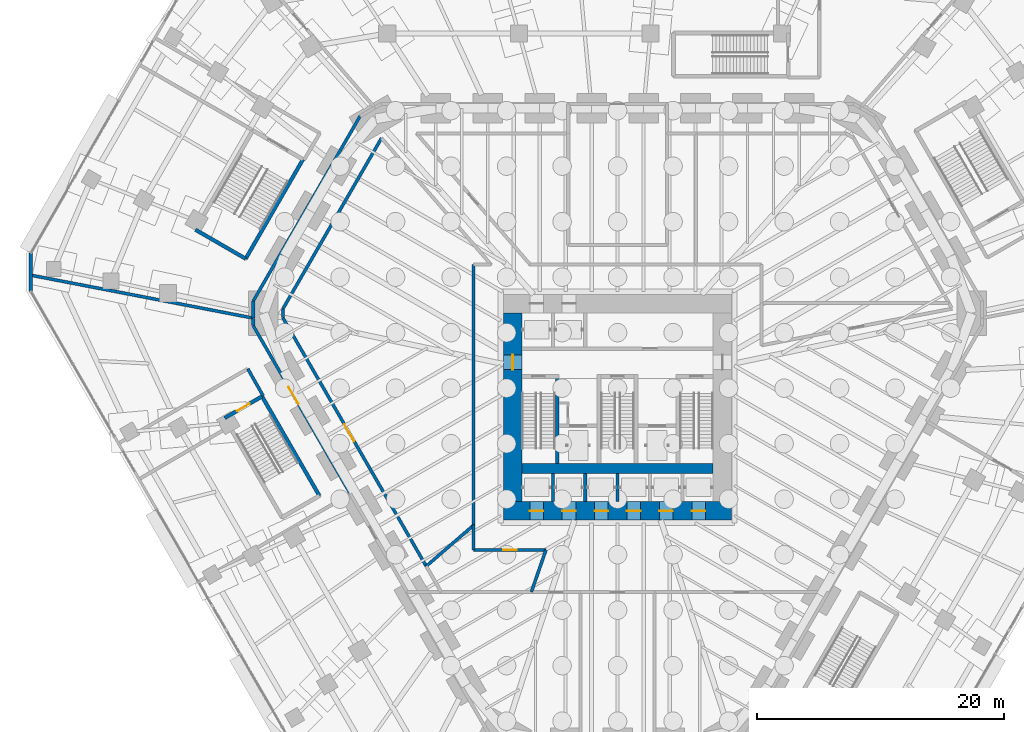
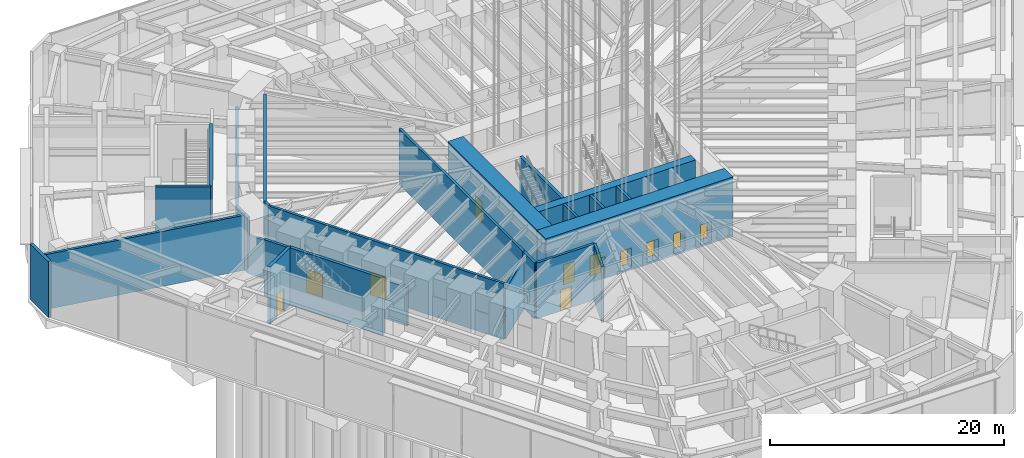
# One storey, part 19 of 34: 26 walls, 11 doors, 11 openings.
"""IFC4 building model written with IfcOpenShell, lengths in metres."""

from ifc_helpers import new_model, si_unit, direction, frame, frame_2d, origin, place, context, subcontext, project, spatial, rectangle, extrude, material, layer, layer_set, type_object, element, fill, save


model = new_model("IFC4")

# Units and contexts
model_context = context("Model", 3, precision=1e-05, world=origin(), true_north=direction((0.0, 1.0)))
body_context = subcontext(model_context, "Body", "Model", "MODEL_VIEW")
ifc_project = project(units=[si_unit("LENGTHUNIT", "METRE"), si_unit("AREAUNIT", "SQUARE_METRE"), si_unit("VOLUMEUNIT", "CUBIC_METRE"), si_unit("PLANEANGLEUNIT", "RADIAN"), si_unit("MASSUNIT", "GRAM", prefix="KILO")], contexts=[model_context])

# Site, building, storey
site_placement = place(None, origin())
site = spatial("IfcSite", under=ifc_project, at=site_placement, CompositionType="ELEMENT")
building_placement = place(site_placement, origin())
building = spatial("IfcBuilding", under=site, at=building_placement, Name="Sandreach Pilgrim Tower", CompositionType="ELEMENT")
storey_placement = place(building_placement, origin())
storey = spatial("IfcBuildingStorey", under=building, at=storey_placement, Name="L00", CompositionType="ELEMENT", Elevation=0.0)

# Walls
ifc_material_1 = material(Name="Concrete 10000 psi", Category="concrete")
ifc_layer_1 = layer(ifc_material_1, 0.300048828125)
ifc_layer_set_1 = layer_set([ifc_layer_1], Name="Core inner wall 300")
wall_type_1 = type_object("IfcWallType", Name="Core inner wall 300", PredefinedType="SHEAR", material=ifc_layer_set_1)
wall_1_placement = place(storey_placement, frame((-4.89990234375, -6.10009765625, -0.199951171875), z_axis=(0.0, 0.0, 1.0), x_axis=(0.0, 1.0, 0.0)))
element("IfcWall", 1, at=wall_1_placement, inside=storey, type_object=wall_type_1, Name="Core wall I0 L00", PredefinedType="SHEAR", context=body_context, shape_type="SweptSolid", body=[
    extrude(rectangle(XDim=7.2001953125, YDim=0.300048828125, at=frame_2d((3.60009765625, 0.0))), origin(), (0.0, 0.0, 1.0), 6.199951171875),
])
ifc_material_2 = material(Name="Concrete 10000 psi", Category="concrete")
ifc_layer_2 = layer(ifc_material_2, 0.800048828125)
ifc_layer_set_2 = layer_set([ifc_layer_2], Name="Core mid wall 800")
wall_type_2 = type_object("IfcWallType", Name="Core mid wall 800", PredefinedType="SHEAR", material=ifc_layer_set_2)
wall_2_placement = place(storey_placement, frame((-7.75, -6.5, -0.199951171875), z_axis=(0.0, 0.0, 1.0), x_axis=(1.0, 0.0, 0.0)))
element("IfcWall", 2, at=wall_2_placement, inside=storey, type_object=wall_type_2, Name="Core wall M L00", PredefinedType="SHEAR", context=body_context, shape_type="SweptSolid", body=[
    extrude(rectangle(XDim=15.5, YDim=0.800048828125, at=frame_2d((7.75, 0.0))), origin(), (0.0, 0.0, 1.0), 6.199951171875),
])

# Wall, openings, doors
ifc_material_3 = material(Name="Concrete 10000 psi", Category="concrete")
ifc_layer_3 = layer(ifc_material_3, 1.5)
ifc_layer_set_3 = layer_set([ifc_layer_3], Name="Core wall 1500")
wall_type_3 = type_object("IfcWallType", Name="Core wall 1500", PredefinedType="SHEAR", material=ifc_layer_set_3)
wall_3_placement = place(storey_placement, frame((-9.25, -9.949951171875, -0.199951171875), z_axis=(0.0, 0.0, 1.0), x_axis=(1.0, 0.0, 0.0)))
wall_3 = element("IfcWall", 3, at=wall_3_placement, inside=storey, type_object=wall_type_3, Name="Core wall S L00", PredefinedType="SHEAR", context=body_context, shape_type="SweptSolid", body=[
    extrude(rectangle(XDim=18.5, YDim=1.5, at=frame_2d((9.25, 0.0))), origin(), (0.0, 0.0, 1.0), 6.199951171875),
])
opening_1_placement = place(wall_3_placement, frame((2.137451171875, 0.0, 0.199951171875)))
opening_1 = element("IfcOpeningElement", 4, at=opening_1_placement, cuts=wall_3, Name="Opening LD11", PredefinedType="OPENING", context=body_context, shape_type="SweptSolid", body=[
    extrude(rectangle(XDim=1.10009765625, YDim=2.10009765625, at=frame_2d((0.550048828125, 1.050048828125))), frame((0.0, 0.75, 0.0), z_axis=(0.0, -1.0, 0.0), x_axis=(1.0, 0.0, 0.0)), (0.0, 0.0, 1.0), 1.5),
])
opening_2_placement = place(wall_3_placement, frame((4.762451171875, 0.0, 0.199951171875)))
opening_2 = element("IfcOpeningElement", 5, at=opening_2_placement, cuts=wall_3, Name="Opening LD11", PredefinedType="OPENING", context=body_context, shape_type="SweptSolid", body=[
    extrude(rectangle(XDim=1.10009765625, YDim=2.10009765625, at=frame_2d((0.550048828125, 1.050048828125))), frame((0.0, 0.75, 0.0), z_axis=(0.0, -1.0, 0.0), x_axis=(1.0, 0.0, 0.0)), (0.0, 0.0, 1.0), 1.5),
])
opening_3_placement = place(wall_3_placement, frame((7.387451171875, 0.0, 0.199951171875)))
opening_3 = element("IfcOpeningElement", 6, at=opening_3_placement, cuts=wall_3, Name="Opening LD11", PredefinedType="OPENING", context=body_context, shape_type="SweptSolid", body=[
    extrude(rectangle(XDim=1.10009765625, YDim=2.10009765625, at=frame_2d((0.550048828125, 1.050048828125))), frame((0.0, 0.75, 0.0), z_axis=(0.0, -1.0, 0.0), x_axis=(1.0, 0.0, 0.0)), (0.0, 0.0, 1.0), 1.5),
])
opening_4_placement = place(wall_3_placement, frame((10.012451171875, 0.0, 0.199951171875)))
opening_4 = element("IfcOpeningElement", 7, at=opening_4_placement, cuts=wall_3, Name="Opening LD11", PredefinedType="OPENING", context=body_context, shape_type="SweptSolid", body=[
    extrude(rectangle(XDim=1.10009765625, YDim=2.10009765625, at=frame_2d((0.550048828125, 1.050048828125))), frame((0.0, 0.75, 0.0), z_axis=(0.0, -1.0, 0.0), x_axis=(1.0, 0.0, 0.0)), (0.0, 0.0, 1.0), 1.5),
])
opening_5_placement = place(wall_3_placement, frame((12.637451171875, 0.0, 0.199951171875)))
opening_5 = element("IfcOpeningElement", 8, at=opening_5_placement, cuts=wall_3, Name="Opening LD11", PredefinedType="OPENING", context=body_context, shape_type="SweptSolid", body=[
    extrude(rectangle(XDim=1.10009765625, YDim=2.10009765625, at=frame_2d((0.550048828125, 1.050048828125))), frame((0.0, 0.75, 0.0), z_axis=(0.0, -1.0, 0.0), x_axis=(1.0, 0.0, 0.0)), (0.0, 0.0, 1.0), 1.5),
])
opening_6_placement = place(wall_3_placement, frame((15.262451171875, 0.0, 0.199951171875)))
opening_6 = element("IfcOpeningElement", 9, at=opening_6_placement, cuts=wall_3, Name="Opening LD11", PredefinedType="OPENING", context=body_context, shape_type="SweptSolid", body=[
    extrude(rectangle(XDim=1.10009765625, YDim=2.10009765625, at=frame_2d((0.550048828125, 1.050048828125))), frame((0.0, 0.75, 0.0), z_axis=(0.0, -1.0, 0.0), x_axis=(1.0, 0.0, 0.0)), (0.0, 0.0, 1.0), 1.5),
])
ifc_material_4 = material(Name="Steel door and frame", Category="steel")
door_type_1 = type_object("IfcDoorType", Name="Lift landing door", OperationType="DOUBLE_DOOR_SLIDING", PredefinedType="DOOR", material=ifc_material_4)
door_1_placement = place(opening_1_placement, origin())
door_1 = element("IfcDoor", 10, at=door_1_placement, inside=storey, type_object=door_type_1, Name="Lift landing door Z1A L00", OperationType="DOUBLE_DOOR_SLIDING", OverallHeight=2.10009765625, OverallWidth=1.10009765625, PredefinedType="DOOR", context=body_context, shape_type="SweptSolid", body=[
    extrude(rectangle(XDim=1.10009765625, YDim=2.10009765625, at=frame_2d((0.550048828125, 1.050048828125))), frame((0.0, 0.02490234375, 0.0), z_axis=(0.0, -1.0, 0.0), x_axis=(1.0, 0.0, 0.0)), (0.0, 0.0, 1.0), 0.050048828125),
])
fill(opening_1, door_1)
door_2_placement = place(opening_2_placement, origin())
door_2 = element("IfcDoor", 11, at=door_2_placement, inside=storey, type_object=door_type_1, Name="Lift landing door Z1B L00", OperationType="DOUBLE_DOOR_SLIDING", OverallHeight=2.10009765625, OverallWidth=1.10009765625, PredefinedType="DOOR", context=body_context, shape_type="SweptSolid", body=[
    extrude(rectangle(XDim=1.10009765625, YDim=2.10009765625, at=frame_2d((0.550048828125, 1.050048828125))), frame((0.0, 0.02490234375, 0.0), z_axis=(0.0, -1.0, 0.0), x_axis=(1.0, 0.0, 0.0)), (0.0, 0.0, 1.0), 0.050048828125),
])
fill(opening_2, door_2)
door_3_placement = place(opening_3_placement, origin())
door_3 = element("IfcDoor", 12, at=door_3_placement, inside=storey, type_object=door_type_1, Name="Lift landing door Z1C L00", OperationType="DOUBLE_DOOR_SLIDING", OverallHeight=2.10009765625, OverallWidth=1.10009765625, PredefinedType="DOOR", context=body_context, shape_type="SweptSolid", body=[
    extrude(rectangle(XDim=1.10009765625, YDim=2.10009765625, at=frame_2d((0.550048828125, 1.050048828125))), frame((0.0, 0.02490234375, 0.0), z_axis=(0.0, -1.0, 0.0), x_axis=(1.0, 0.0, 0.0)), (0.0, 0.0, 1.0), 0.050048828125),
])
fill(opening_3, door_3)
door_4_placement = place(opening_4_placement, origin())
door_4 = element("IfcDoor", 13, at=door_4_placement, inside=storey, type_object=door_type_1, Name="Lift landing door Z2A L00", OperationType="DOUBLE_DOOR_SLIDING", OverallHeight=2.10009765625, OverallWidth=1.10009765625, PredefinedType="DOOR", context=body_context, shape_type="SweptSolid", body=[
    extrude(rectangle(XDim=1.10009765625, YDim=2.10009765625, at=frame_2d((0.550048828125, 1.050048828125))), frame((0.0, 0.02490234375, 0.0), z_axis=(0.0, -1.0, 0.0), x_axis=(1.0, 0.0, 0.0)), (0.0, 0.0, 1.0), 0.050048828125),
])
fill(opening_4, door_4)
door_5_placement = place(opening_5_placement, origin())
door_5 = element("IfcDoor", 14, at=door_5_placement, inside=storey, type_object=door_type_1, Name="Lift landing door Z2B L00", OperationType="DOUBLE_DOOR_SLIDING", OverallHeight=2.10009765625, OverallWidth=1.10009765625, PredefinedType="DOOR", context=body_context, shape_type="SweptSolid", body=[
    extrude(rectangle(XDim=1.10009765625, YDim=2.10009765625, at=frame_2d((0.550048828125, 1.050048828125))), frame((0.0, 0.02490234375, 0.0), z_axis=(0.0, -1.0, 0.0), x_axis=(1.0, 0.0, 0.0)), (0.0, 0.0, 1.0), 0.050048828125),
])
fill(opening_5, door_5)
door_6_placement = place(opening_6_placement, origin())
door_6 = element("IfcDoor", 15, at=door_6_placement, inside=storey, type_object=door_type_1, Name="Lift landing door Z2C L00", OperationType="DOUBLE_DOOR_SLIDING", OverallHeight=2.10009765625, OverallWidth=1.10009765625, PredefinedType="DOOR", context=body_context, shape_type="SweptSolid", body=[
    extrude(rectangle(XDim=1.10009765625, YDim=2.10009765625, at=frame_2d((0.550048828125, 1.050048828125))), frame((0.0, 0.02490234375, 0.0), z_axis=(0.0, -1.0, 0.0), x_axis=(1.0, 0.0, 0.0)), (0.0, 0.0, 1.0), 0.050048828125),
])
fill(opening_6, door_6)

# Wall, opening, door
wall_4_placement = place(storey_placement, frame((-8.5, -9.199951171875, -0.199951171875), z_axis=(0.0, 0.0, 1.0), x_axis=(0.0, 1.0, 0.0)))
wall_4 = element("IfcWall", 16, at=wall_4_placement, inside=storey, type_object=wall_type_3, Name="Core wall W L00", PredefinedType="SHEAR", context=body_context, shape_type="SweptSolid", body=[
    extrude(rectangle(XDim=15.300048828125, YDim=1.5, at=frame_2d((7.64990234375, 0.0))), origin(), (0.0, 0.0, 1.0), 6.199951171875),
])
opening_7_placement = place(wall_4_placement, frame((10.699951171875, 0.0, 0.199951171875)))
opening_7 = element("IfcOpeningElement", 17, at=opening_7_placement, cuts=wall_4, Name="Opening D12F-W", PredefinedType="OPENING", context=body_context, shape_type="SweptSolid", body=[
    extrude(rectangle(XDim=1.199951171875, YDim=2.199951171875, at=frame_2d((0.60009765625, 1.10009765625))), frame((0.0, 0.75, 0.0), z_axis=(0.0, -1.0, 0.0), x_axis=(1.0, 0.0, 0.0)), (0.0, 0.0, 1.0), 1.5),
])
ifc_material_5 = material(Name="Steel door and frame", Category="steel")
door_type_2 = type_object("IfcDoorType", Name="Fire lobby door", OperationType="SINGLE_SWING_LEFT", PredefinedType="DOOR", material=ifc_material_5)
door_7_placement = place(opening_7_placement, origin())
door_7 = element("IfcDoor", 18, at=door_7_placement, inside=storey, type_object=door_type_2, Name="Fire service lobby door W L00", OperationType="SINGLE_SWING_RIGHT", OverallHeight=2.199951171875, OverallWidth=1.199951171875, PredefinedType="DOOR", context=body_context, shape_type="SweptSolid", body=[
    extrude(rectangle(XDim=1.199951171875, YDim=2.199951171875, at=frame_2d((0.60009765625, 1.10009765625))), frame((0.0, 0.02490234375, 0.0), z_axis=(0.0, -1.0, 0.0), x_axis=(1.0, 0.0, 0.0)), (0.0, 0.0, 1.0), 0.050048828125),
])
fill(opening_7, door_7)

ifc_material_6 = material(Name="Acoustic gypsum board wall, double frame", Category="gypsum")
ifc_layer_4 = layer(ifc_material_6, 0.25)
ifc_layer_set_4 = layer_set([ifc_layer_4], Name="Hall partition 250")
wall_type_4 = type_object("IfcWallType", Name="Hall partition 250", PredefinedType="PARTITIONING", material=ifc_layer_set_4)
wall_5_placement = place(storey_placement, frame((-29.5400390625, 5.06005859375, 0.0), z_axis=(0.0, 0.0, 1.0), x_axis=(0.500237574973, -0.865888196354, 0.0)))
wall_5 = element("IfcWall", 19, at=wall_5_placement, inside=storey, type_object=wall_type_4, Name="Hall partition L00-005", PredefinedType="PARTITIONING", context=body_context, shape_type="SweptSolid", body=[
    extrude(rectangle(XDim=15.752685546875, YDim=0.25, at=frame_2d((7.87646484375, 0.0))), origin(), (0.0, 0.0, 1.0), 4.0400390625),
])
opening_8_placement = place(wall_5_placement, frame((5.726318359375, 0.0, 0.0)))
opening_8 = element("IfcOpeningElement", 20, at=opening_8_placement, cuts=wall_5, Name="Opening D16-N2", PredefinedType="OPENING", context=body_context, shape_type="SweptSolid", body=[
    extrude(rectangle(XDim=1.60009765625, YDim=2.39990234375, at=frame_2d((0.800048828125, 1.199951171875))), frame((0.0, 0.125, 0.0), z_axis=(0.0, -1.0, 0.0), x_axis=(1.0, 0.0, 0.0)), (0.0, 0.0, 1.0), 0.25),
])
ifc_material_7 = material(Name="Steel door and frame", Category="steel")
door_type_3 = type_object("IfcDoorType", Name="Hall double door", OperationType="DOUBLE_DOOR_SINGLE_SWING", PredefinedType="DOOR", material=ifc_material_7)
door_8_placement = place(opening_8_placement, origin())
door_8 = element("IfcDoor", 21, at=door_8_placement, inside=storey, type_object=door_type_3, Name="Door 00N2", OperationType="DOUBLE_DOOR_SINGLE_SWING", OverallHeight=2.39990234375, OverallWidth=1.60009765625, PredefinedType="DOOR", context=body_context, shape_type="SweptSolid", body=[
    extrude(rectangle(XDim=1.60009765625, YDim=2.39990234375, at=frame_2d((0.800048828125, 1.199951171875))), frame((0.0, 0.02490234375, 0.0), z_axis=(0.0, -1.0, 0.0), x_axis=(1.0, 0.0, 0.0)), (0.0, 0.0, 1.0), 0.050048828125),
])
fill(opening_8, door_8)

# Walls
wall_6_placement = place(storey_placement, frame((-29.5400390625, 5.64501953125, 0.0), z_axis=(0.0, 0.0, 1.0), x_axis=(0.0, -1.0, 0.0)))
element("IfcWall", 22, at=wall_6_placement, inside=storey, type_object=wall_type_4, Name="Hall partition L00-006", PredefinedType="PARTITIONING", context=body_context, shape_type="SweptSolid", body=[
    extrude(rectangle(XDim=0.5849609375, YDim=0.25, at=frame_2d((0.29248046875, 0.0))), origin(), (0.0, 0.0, 1.0), 5.840087890625),
])
wall_7_placement = place(storey_placement, frame((-29.5400390625, 5.679931640625, 0.0), z_axis=(0.0, 0.0, 1.0), x_axis=(-0.981893421599, 0.189434180181, 0.0)))
element("IfcWall", 23, at=wall_7_placement, inside=storey, type_object=wall_type_4, Name="Hall partition L00-007", PredefinedType="PARTITIONING", context=body_context, shape_type="SweptSolid", body=[
    extrude(rectangle(XDim=18.3935546875, YDim=0.25, at=frame_2d((9.19677734375, 0.0))), origin(), (0.0, 0.0, 1.0), 5.75),
])
wall_8_placement = place(storey_placement, frame((-29.5400390625, 7.06005859375, 0.0), z_axis=(0.0, 0.0, 1.0), x_axis=(0.0, -1.0, 0.0)))
element("IfcWall", 24, at=wall_8_placement, inside=storey, type_object=wall_type_4, Name="Hall partition L00-008", PredefinedType="PARTITIONING", context=body_context, shape_type="SweptSolid", body=[
    extrude(rectangle(XDim=1.380126953125, YDim=0.25, at=frame_2d((0.68994140625, 0.0))), origin(), (0.0, 0.0, 1.0), 5.840087890625),
])
wall_9_placement = place(storey_placement, frame((-28.739990234375, -0.619873046875, 0.0), z_axis=(0.0, 0.0, 1.0), x_axis=(-0.492718818431, 0.87018858069, 0.0)))
element("IfcWall", 25, at=wall_9_placement, inside=storey, type_object=wall_type_4, Name="Hall partition L00-009", PredefinedType="PARTITIONING", context=body_context, shape_type="SweptSolid", body=[
    extrude(rectangle(XDim=2.5166015625, YDim=0.25, at=frame_2d((1.25830078125, 0.0))), origin(), (0.0, 0.0, 1.0), 5.840087890625),
])
wall_10_placement = place(storey_placement, frame((-27.139892578125, 5.7099609375, 0.0), z_axis=(0.0, 0.0, 1.0), x_axis=(0.0, 1.0, 0.0)))
element("IfcWall", 26, at=wall_10_placement, inside=storey, type_object=wall_type_4, Name="Hall partition L00-010", PredefinedType="PARTITIONING", context=body_context, shape_type="SweptSolid", body=[
    extrude(rectangle(XDim=0.7099609375, YDim=0.25, at=frame_2d((0.35498046875, 0.0))), origin(), (0.0, 0.0, 1.0), 5.840087890625),
])

# Wall, opening, door
wall_11_placement = place(storey_placement, frame((-27.14013671875, 5.7099609375, 0.0), z_axis=(0.0, 0.0, 1.0), x_axis=(0.499871788402, -0.866099414132, 0.0)))
wall_11 = element("IfcWall", 27, at=wall_11_placement, inside=storey, type_object=wall_type_4, Name="Hall partition L00-011", PredefinedType="PARTITIONING", context=body_context, shape_type="SweptSolid", body=[
    extrude(rectangle(XDim=23.2568359375, YDim=0.25, at=frame_2d((11.62841796875, 0.0))), origin(), (0.0, 0.0, 1.0), 5.840087890625),
])
opening_9_placement = place(wall_11_placement, frame((9.978515625, 0.0, 0.0)))
opening_9 = element("IfcOpeningElement", 28, at=opening_9_placement, cuts=wall_11, Name="Opening D16-B2", PredefinedType="OPENING", context=body_context, shape_type="SweptSolid", body=[
    extrude(rectangle(XDim=1.60009765625, YDim=2.39990234375, at=frame_2d((0.800048828125, 1.199951171875))), frame((0.0, 0.125, 0.0), z_axis=(0.0, -1.0, 0.0), x_axis=(1.0, 0.0, 0.0)), (0.0, 0.0, 1.0), 0.25),
])
door_9_placement = place(opening_9_placement, origin())
door_9 = element("IfcDoor", 29, at=door_9_placement, inside=storey, type_object=door_type_3, Name="Door 00B2", OperationType="DOUBLE_DOOR_SINGLE_SWING", OverallHeight=2.39990234375, OverallWidth=1.60009765625, PredefinedType="DOOR", context=body_context, shape_type="SweptSolid", body=[
    extrude(rectangle(XDim=1.60009765625, YDim=2.39990234375, at=frame_2d((0.800048828125, 1.199951171875))), frame((0.0, 0.02490234375, 0.0), z_axis=(0.0, -1.0, 0.0), x_axis=(1.0, 0.0, 0.0)), (0.0, 0.0, 1.0), 0.050048828125),
])
fill(opening_9, door_9)

# Walls
wall_12_placement = place(storey_placement, frame((-27.139892578125, 6.419921875, 0.0), z_axis=(0.0, 0.0, 1.0), x_axis=(0.50017078562, 0.865926778205, 0.0)))
element("IfcWall", 30, at=wall_12_placement, inside=storey, type_object=wall_type_4, Name="Hall partition L00-012", PredefinedType="PARTITIONING", context=body_context, shape_type="SweptSolid", body=[
    extrude(rectangle(XDim=15.99462890625, YDim=0.25, at=frame_2d((7.997314453125, 0.0))), origin(), (0.0, 0.0, 1.0), 5.840087890625),
])
wall_13_placement = place(storey_placement, frame((-20.8798828125, 22.050048828125, 0.0), z_axis=(0.0, 0.0, 1.0), x_axis=(-0.500246113481, -0.865883263464, 0.0)))
element("IfcWall", 31, at=wall_13_placement, inside=storey, type_object=wall_type_4, Name="Hall partition L00-016", PredefinedType="PARTITIONING", context=body_context, shape_type="SweptSolid", body=[
    extrude(rectangle(XDim=17.311767578125, YDim=0.25, at=frame_2d((8.65576171875, 0.0))), origin(), (0.0, 0.0, 1.0), 4.0400390625),
])

# Wall, opening, door
wall_14_placement = place(storey_placement, frame((-11.669921875, -13.1201171875, 0.0), z_axis=(0.0, 0.0, 1.0), x_axis=(1.0, 0.0, 0.0)))
wall_14 = element("IfcWall", 32, at=wall_14_placement, inside=storey, type_object=wall_type_4, Name="Hall partition L00-026", PredefinedType="PARTITIONING", context=body_context, shape_type="SweptSolid", body=[
    extrude(rectangle(XDim=5.85986328125, YDim=0.25, at=frame_2d((2.929931640625, 0.0))), origin(), (0.0, 0.0, 1.0), 5.840087890625),
])
opening_10_placement = place(wall_14_placement, frame((2.3798828125, 0.0, 0.0)))
opening_10 = element("IfcOpeningElement", 33, at=opening_10_placement, cuts=wall_14, Name="Opening D11H-N6", PredefinedType="OPENING", context=body_context, shape_type="SweptSolid", body=[
    extrude(rectangle(XDim=1.10009765625, YDim=2.199951171875, at=frame_2d((0.550048828125, 1.10009765625))), frame((0.0, 0.125, 0.0), z_axis=(0.0, -1.0, 0.0), x_axis=(1.0, 0.0, 0.0)), (0.0, 0.0, 1.0), 0.25),
])
ifc_material_8 = material(Name="Steel door and frame", Category="steel")
door_type_4 = type_object("IfcDoorType", Name="Back of house door", OperationType="SINGLE_SWING_LEFT", PredefinedType="DOOR", material=ifc_material_8)
door_10_placement = place(opening_10_placement, origin())
door_10 = element("IfcDoor", 34, at=door_10_placement, inside=storey, type_object=door_type_4, Name="Door 00N6", OperationType="SINGLE_SWING_LEFT", OverallHeight=2.199951171875, OverallWidth=1.10009765625, PredefinedType="DOOR", context=body_context, shape_type="SweptSolid", body=[
    extrude(rectangle(XDim=1.10009765625, YDim=2.199951171875, at=frame_2d((0.550048828125, 1.10009765625))), frame((0.0, 0.02490234375, 0.0), z_axis=(0.0, -1.0, 0.0), x_axis=(1.0, 0.0, 0.0)), (0.0, 0.0, 1.0), 0.050048828125),
])
fill(opening_10, door_10)

# Walls
wall_15_placement = place(storey_placement, frame((-11.669921875, -11.110107421875, 0.0), z_axis=(0.0, 0.0, 1.0), x_axis=(-0.756493073491, -0.654001704707, 0.0)))
element("IfcWall", 35, at=wall_15_placement, inside=storey, type_object=wall_type_4, Name="Hall partition L00-027", PredefinedType="PARTITIONING", context=body_context, shape_type="SweptSolid", body=[
    extrude(rectangle(XDim=5.076171875, YDim=0.25, at=frame_2d((2.5380859375, 0.0))), origin(), (0.0, 0.0, 1.0), 5.238037109375),
])
wall_16_placement = place(storey_placement, frame((-11.669921875, -11.110107421875, 0.0), z_axis=(0.0, 0.0, 1.0), x_axis=(0.0, -1.0, 0.0)))
element("IfcWall", 36, at=wall_16_placement, inside=storey, type_object=wall_type_4, Name="Hall partition L00-028", PredefinedType="PARTITIONING", context=body_context, shape_type="SweptSolid", body=[
    extrude(rectangle(XDim=2.010009765625, YDim=0.25, at=frame_2d((1.0048828125, 0.0))), origin(), (0.0, 0.0, 1.0), 5.840087890625),
])
wall_17_placement = place(storey_placement, frame((-11.669921875, 10.02001953125, 0.0), z_axis=(0.0, 0.0, 1.0), x_axis=(0.0, -1.0, 0.0)))
element("IfcWall", 37, at=wall_17_placement, inside=storey, type_object=wall_type_4, Name="Hall partition L00-029", PredefinedType="PARTITIONING", context=body_context, shape_type="SweptSolid", body=[
    extrude(rectangle(XDim=21.130126953125, YDim=0.25, at=frame_2d((10.56494140625, 0.0))), origin(), (0.0, 0.0, 1.0), 5.840087890625),
])
wall_18_placement = place(storey_placement, frame((-5.81005859375, -13.1201171875, 0.0), z_axis=(0.0, 0.0, 1.0), x_axis=(-0.327865380048, -0.944724453249, 0.0)))
element("IfcWall", 38, at=wall_18_placement, inside=storey, type_object=wall_type_4, Name="Hall partition L00-037", PredefinedType="PARTITIONING", context=body_context, shape_type="SweptSolid", body=[
    extrude(rectangle(XDim=3.598876953125, YDim=0.25, at=frame_2d((1.79931640625, 0.0))), origin(), (0.0, 0.0, 1.0), 5.840087890625),
])
ifc_material_9 = material(Name="Concrete 8000 psi", Category="concrete")
ifc_layer_5 = layer(ifc_material_9, 0.300048828125)
ifc_layer_set_5 = layer_set([ifc_layer_5], Name="Podium stair enclosure 300")
wall_type_5 = type_object("IfcWallType", Name="Podium stair enclosure 300", PredefinedType="SHEAR", material=ifc_layer_set_5)
wall_19_placement = place(storey_placement, frame((-25.503662109375, 18.548095703125, 0.0), z_axis=(0.0, 0.0, 1.0), x_axis=(-0.500004225487, -0.866022964185, 0.0)))
element("IfcWall", 39, at=wall_19_placement, inside=storey, type_object=wall_type_5, Name="Stair ST6 enclosure L00 1", PredefinedType="SHEAR", context=body_context, shape_type="SweptSolid", body=[
    extrude(rectangle(XDim=9.30029296875, YDim=0.300048828125, at=frame_2d((4.650146484375, 0.0))), origin(), (0.0, 0.0, 1.0), 6.0),
])
wall_20_placement = place(storey_placement, frame((-30.15380859375, 10.493896484375, 0.0), z_axis=(0.0, 0.0, 1.0), x_axis=(-0.866016039709, 0.500016218704, 0.0)))
element("IfcWall", 40, at=wall_20_placement, inside=storey, type_object=wall_type_5, Name="Stair ST6 enclosure L00 2", PredefinedType="SHEAR", context=body_context, shape_type="SweptSolid", body=[
    extrude(rectangle(XDim=4.699951171875, YDim=0.300048828125, at=frame_2d((2.35009765625, 0.0))), origin(), (0.0, 0.0, 1.0), 6.0),
])
wall_21_placement = place(storey_placement, frame((-28.82421875, -0.67236328125, 0.0), z_axis=(0.0, 0.0, 1.0), x_axis=(0.499984536904, -0.866034331223, 0.0)))
element("IfcWall", 41, at=wall_21_placement, inside=storey, type_object=wall_type_5, Name="Stair ST9 enclosure L00 1", PredefinedType="SHEAR", context=body_context, shape_type="SweptSolid", body=[
    extrude(rectangle(XDim=9.300048828125, YDim=0.300048828125, at=frame_2d((4.64990234375, 0.0))), origin(), (0.0, 0.0, 1.0), 6.0),
])

# Wall, opening, door
wall_22_placement = place(storey_placement, frame((-31.855224609375, -2.42236328125, 0.0), z_axis=(0.0, 0.0, 1.0), x_axis=(0.866019471182, 0.500010275428, 0.0)))
wall_22 = element("IfcWall", 42, at=wall_22_placement, inside=storey, type_object=wall_type_5, Name="Stair ST9 enclosure L00 4", PredefinedType="SHEAR", context=body_context, shape_type="SweptSolid", body=[
    extrude(rectangle(XDim=3.5, YDim=0.300048828125, at=frame_2d((1.75, 0.0))), origin(), (0.0, 0.0, 1.0), 6.0),
])
opening_11_placement = place(wall_22_placement, frame((1.14990234375, 0.0, 0.0)))
opening_11 = element("IfcOpeningElement", 43, at=opening_11_placement, cuts=wall_22, Name="Opening D12S-ST9", PredefinedType="OPENING", context=body_context, shape_type="SweptSolid", body=[
    extrude(rectangle(XDim=1.199951171875, YDim=2.39990234375, at=frame_2d((0.60009765625, 1.199951171875))), frame((0.0, 0.14990234375, 0.0), z_axis=(0.0, -1.0, 0.0), x_axis=(1.0, 0.0, 0.0)), (0.0, 0.0, 1.0), 0.300048828125),
])
ifc_material_10 = material(Name="Steel door and frame", Category="steel")
door_type_5 = type_object("IfcDoorType", Name="Narrow podium stair door", OperationType="SINGLE_SWING_LEFT", PredefinedType="DOOR", material=ifc_material_10)
door_11_placement = place(opening_11_placement, origin())
door_11 = element("IfcDoor", 44, at=door_11_placement, inside=storey, type_object=door_type_5, Name="Stair door ST9 L00", OperationType="SINGLE_SWING_LEFT", OverallHeight=2.39990234375, OverallWidth=1.199951171875, PredefinedType="DOOR", context=body_context, shape_type="SweptSolid", body=[
    extrude(rectangle(XDim=1.199951171875, YDim=2.39990234375, at=frame_2d((0.60009765625, 1.199951171875))), frame((0.0, 0.02490234375, 0.0), z_axis=(0.0, -1.0, 0.0), x_axis=(1.0, 0.0, 0.0)), (0.0, 0.0, 1.0), 0.050048828125),
])
fill(opening_11, door_11)

# Walls
ifc_material_11 = material(Name="Gypsum shaft wall on steel studs, two layers of shaft liner board", Category="steel")
ifc_layer_6 = layer(ifc_material_11, 0.25)
ifc_layer_set_6 = layer_set([ifc_layer_6], Name="Shaft partition 250")
wall_type_6 = type_object("IfcWallType", Name="Shaft partition 250", PredefinedType="PARTITIONING", material=ifc_layer_set_6)
for number, where, z_axis, x_axis, name in (
    (45, (-5.25, -9.199951171875, -0.199951171875), (0.0, 0.0, 1.0), (0.0, 1.0, 0.0), "Shaft partition XS0 L00"),
    (46, (-2.625, -9.199951171875, -0.199951171875), (0.0, 0.0, 1.0), (0.0, 1.0, 0.0), "Shaft partition XS1 L00"),
    (47, (0.0, -9.199951171875, -0.199951171875), (0.0, 0.0, 1.0), (0.0, 1.0, 0.0), "Shaft partition XS2 L00"),
):
    element("IfcWall", number, at=place(storey_placement, frame(where, z_axis=z_axis, x_axis=x_axis)), inside=storey, type_object=wall_type_6, Name=name, PredefinedType="PARTITIONING", context=body_context, shape_type="SweptSolid", body=[
        extrude(rectangle(XDim=2.300048828125, YDim=0.25, at=frame_2d((1.14990234375, 0.0))), origin(), (0.0, 0.0, 1.0), 6.199951171875),
    ])
ifc_material_12 = material(Name="Terracotta rainscreen on concrete", Category="masonry")
ifc_layer_7 = layer(ifc_material_12, 0.300048828125)
ifc_layer_set_7 = layer_set([ifc_layer_7], Name="Terracotta chamfer pier")
wall_type_7 = type_object("IfcWallType", Name="Terracotta chamfer pier", PredefinedType="SOLIDWALL", material=ifc_layer_set_7)
wall_23_placement = place(storey_placement, frame((-47.583740234375, 7.846435546875, 0.0), z_axis=(0.0, 0.0, 1.0), x_axis=(0.0, 1.0, 0.0)))
element("IfcWall", 48, at=wall_23_placement, inside=storey, type_object=wall_type_7, Name="Chamfer pier L00 SW", PredefinedType="SOLIDWALL", context=body_context, shape_type="SweptSolid", body=[
    extrude(rectangle(XDim=3.099853515625, YDim=0.300048828125, at=frame_2d((1.5498046875, 0.0))), origin(), (0.0, 0.0, 1.0), 5.840087890625),
])

save(model, "model.ifc")
